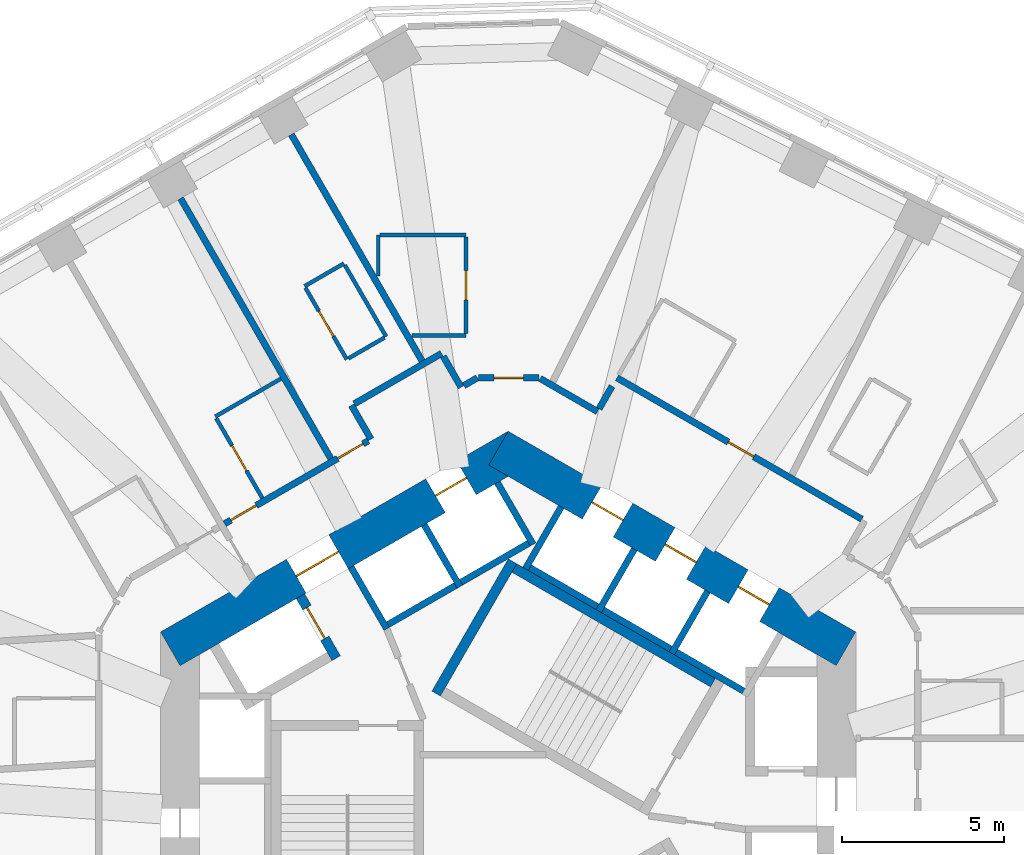
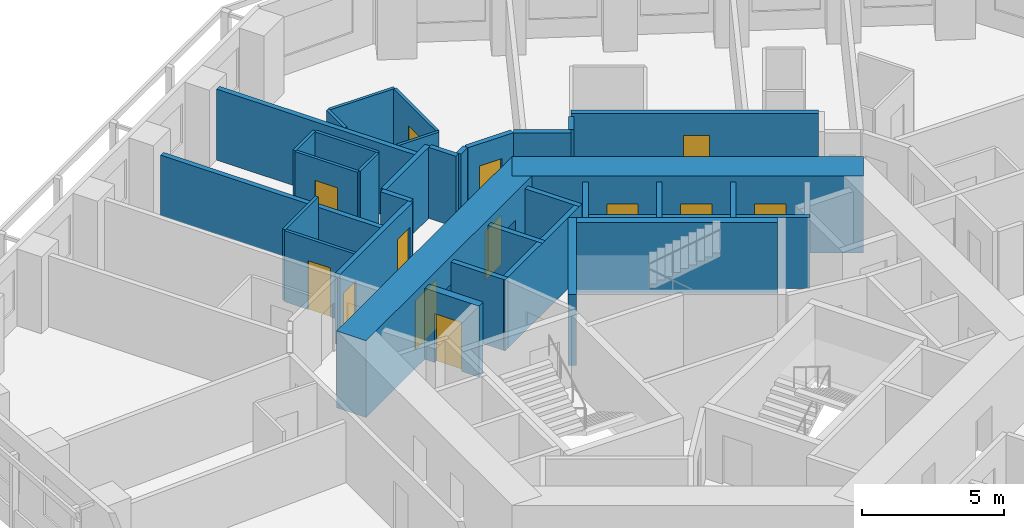
# One storey, part 8 of 12: 34 walls, 13 doors, 13 openings.
"""IFC4 building model written with IfcOpenShell, lengths in metres."""

from ifc_helpers import new_model, si_unit, direction, frame, frame_2d, origin, place, context, subcontext, project, spatial, rectangle, extrude, material, layer, layer_set, type_object, element, fill, save


model = new_model("IFC4")

# Units and contexts
model_context = context("Model", 3, precision=1e-05, world=origin(), true_north=direction((0.0, 1.0)))
body_context = subcontext(model_context, "Body", "Model", "MODEL_VIEW")
ifc_project = project(units=[si_unit("LENGTHUNIT", "METRE"), si_unit("AREAUNIT", "SQUARE_METRE"), si_unit("VOLUMEUNIT", "CUBIC_METRE"), si_unit("PLANEANGLEUNIT", "RADIAN"), si_unit("MASSUNIT", "GRAM", prefix="KILO")], contexts=[model_context])

# Site, building, storey
site_placement = place(None, origin())
site = spatial("IfcSite", under=ifc_project, at=site_placement, CompositionType="ELEMENT")
building_placement = place(site_placement, origin())
building = spatial("IfcBuilding", under=site, at=building_placement, Name="Vanh Sen Convention Tower", CompositionType="ELEMENT")
storey_placement = place(building_placement, frame((0.0, 0.0, 83.60009765625)))
storey = spatial("IfcBuildingStorey", under=building, at=storey_placement, Name="L18", CompositionType="ELEMENT", Elevation=83.60009765625)

# Wall
ifc_material_1 = material(Name="Moisture-resistant gypsum board on steel studs", Category="steel")
ifc_layer_1 = layer(ifc_material_1, 0.1201171875)
ifc_layer_set_1 = layer_set([ifc_layer_1], Name="Moisture-resistant gypsum board on steel studs")
wall_type_1 = type_object("IfcWallType", Name="Bathroom partition 120", PredefinedType="PARTITIONING", material=ifc_layer_set_1)
wall_1_placement = place(storey_placement, frame((-9.016357421875, 12.8076171875, 0.0), z_axis=(0.0, 0.0, 1.0), x_axis=(0.86600796803, 0.500030198396, 0.0)))
element("IfcWall", 1, at=wall_1_placement, inside=storey, type_object=wall_type_1, Name="Bathroom partition 120", PredefinedType="PARTITIONING", context=body_context, shape_type="SweptSolid", body=[
    extrude(rectangle(XDim=2.334716796875, YDim=0.1201171875, at=frame_2d((1.16748046875, 0.0))), origin(), (0.0, 0.0, 1.0), 3.0498046875),
])

# Wall, opening, door
wall_2_placement = place(storey_placement, frame((-7.56640625, 10.296142578125, 0.0), z_axis=(0.0, 0.0, 1.0), x_axis=(-0.499985389037, 0.866033839264, 0.0)))
wall_2 = element("IfcWall", 2, at=wall_2_placement, inside=storey, type_object=wall_type_1, Name="Bathroom partition 120", PredefinedType="PARTITIONING", context=body_context, shape_type="SweptSolid", body=[
    extrude(rectangle(XDim=2.83984375, YDim=0.1201171875, at=frame_2d((1.419921875, 0.0))), origin(), (0.0, 0.0, 1.0), 3.0498046875),
])
opening_1_placement = place(wall_2_placement, frame((0.969970703125, 0.0, 0.0)))
opening_1 = element("IfcOpeningElement", 3, at=opening_1_placement, cuts=wall_2, Name="Opening D16117", PredefinedType="OPENING", context=body_context, shape_type="SweptSolid", body=[
    extrude(rectangle(XDim=0.89990234375, YDim=2.10009765625, at=frame_2d((0.449951171875, 1.050048828125))), frame((0.0, 0.070068359375, 0.0), z_axis=(0.0, -1.0, 0.0), x_axis=(1.0, 0.0, 0.0)), (0.0, 0.0, 1.0), 0.14013671875),
])
ifc_material_2 = material(Name="Laminate door in steel frame", Category="steel")
door_type_1 = type_object("IfcDoorType", Name="En-suite door 900", OperationType="SINGLE_SWING_LEFT", PredefinedType="DOOR", material=ifc_material_2)
door_1_placement = place(opening_1_placement, origin())
door_1 = element("IfcDoor", 4, at=door_1_placement, inside=storey, type_object=door_type_1, Name="En-suite door D16117", OperationType="SINGLE_SWING_LEFT", OverallHeight=2.10009765625, OverallWidth=0.89990234375, PredefinedType="DOOR", context=body_context, shape_type="SweptSolid", body=[
    extrude(rectangle(XDim=0.89990234375, YDim=2.10009765625, at=frame_2d((0.449951171875, 1.050048828125))), frame((0.0, 0.02490234375, 0.0), z_axis=(0.0, -1.0, 0.0), x_axis=(1.0, 0.0, 0.0)), (0.0, 0.0, 1.0), 0.050048828125),
])
fill(opening_1, door_1)

# Walls
wall_3_placement = place(storey_placement, frame((-6.268310546875, 16.8203125, 0.0), z_axis=(0.0, 0.0, 1.0), x_axis=(0.866002662425, 0.500039387122, 0.0)))
element("IfcWall", 5, at=wall_3_placement, inside=storey, type_object=wall_type_1, Name="Bathroom partition 120", PredefinedType="PARTITIONING", context=body_context, shape_type="SweptSolid", body=[
    extrude(rectangle(XDim=1.400390625, YDim=0.1201171875, at=frame_2d((0.7001953125, 0.0))), origin(), (0.0, 0.0, 1.0), 3.0498046875),
])
wall_4_placement = place(storey_placement, frame((-5.025634765625, 17.468505859375, 0.0), z_axis=(0.0, 0.0, 1.0), x_axis=(0.500005339912, -0.866022320763, 0.0)))
element("IfcWall", 6, at=wall_4_placement, inside=storey, type_object=wall_type_1, Name="Bathroom partition 120", PredefinedType="PARTITIONING", context=body_context, shape_type="SweptSolid", body=[
    extrude(rectangle(XDim=2.5400390625, YDim=0.1201171875, at=frame_2d((1.27001953125, 0.0))), origin(), (0.0, 0.0, 1.0), 3.0498046875),
])

# Wall, opening, door
wall_5_placement = place(storey_placement, frame((-4.96826171875, 14.56884765625, 0.0), z_axis=(0.0, 0.0, 1.0), x_axis=(-0.500046963369, 0.865998287773, 0.0)))
wall_5 = element("IfcWall", 7, at=wall_5_placement, inside=storey, type_object=wall_type_1, Name="Bathroom partition 120", PredefinedType="PARTITIONING", context=body_context, shape_type="SweptSolid", body=[
    extrude(rectangle(XDim=2.539794921875, YDim=0.1201171875, at=frame_2d((1.27001953125, 0.0))), origin(), (0.0, 0.0, 1.0), 3.0498046875),
])
opening_2_placement = place(wall_5_placement, frame((0.820068359375, 0.0, 0.0)))
opening_2 = element("IfcOpeningElement", 8, at=opening_2_placement, cuts=wall_5, Name="Opening D16115", PredefinedType="OPENING", context=body_context, shape_type="SweptSolid", body=[
    extrude(rectangle(XDim=0.89990234375, YDim=2.10009765625, at=frame_2d((0.449951171875, 1.050048828125))), frame((0.0, 0.070068359375, 0.0), z_axis=(0.0, -1.0, 0.0), x_axis=(1.0, 0.0, 0.0)), (0.0, 0.0, 1.0), 0.14013671875),
])
door_2_placement = place(opening_2_placement, origin())
door_2 = element("IfcDoor", 9, at=door_2_placement, inside=storey, type_object=door_type_1, Name="En-suite door D16115", OperationType="SINGLE_SWING_LEFT", OverallHeight=2.10009765625, OverallWidth=0.89990234375, PredefinedType="DOOR", context=body_context, shape_type="SweptSolid", body=[
    extrude(rectangle(XDim=0.89990234375, YDim=2.10009765625, at=frame_2d((0.449951171875, 1.050048828125))), frame((0.0, 0.02490234375, 0.0), z_axis=(0.0, -1.0, 0.0), x_axis=(1.0, 0.0, 0.0)), (0.0, 0.0, 1.0), 0.050048828125),
])
fill(opening_2, door_2)

# Walls
wall_6_placement = place(storey_placement, frame((-4.0, 17.137451171875, 0.0), z_axis=(0.0, 0.0, 1.0), x_axis=(0.0, 1.0, 0.0)))
element("IfcWall", 10, at=wall_6_placement, inside=storey, type_object=wall_type_1, Name="Bathroom partition 120", PredefinedType="PARTITIONING", context=body_context, shape_type="SweptSolid", body=[
    extrude(rectangle(XDim=1.26318359375, YDim=0.1201171875, at=frame_2d((0.631591796875, 0.0))), origin(), (0.0, 0.0, 1.0), 3.0498046875),
])
wall_7_placement = place(storey_placement, frame((-3.93994140625, 18.400634765625, 0.0), z_axis=(0.0, 0.0, 1.0), x_axis=(1.0, 0.0, 0.0)))
element("IfcWall", 11, at=wall_7_placement, inside=storey, type_object=wall_type_1, Name="Bathroom partition 120", PredefinedType="PARTITIONING", context=body_context, shape_type="SweptSolid", body=[
    extrude(rectangle(XDim=2.639892578125, YDim=0.1201171875, at=frame_2d((1.31982421875, 0.0))), origin(), (0.0, 0.0, 1.0), 3.0498046875),
])
wall_8_placement = place(storey_placement, frame((-3.8076171875, 15.23876953125, 0.0), z_axis=(0.0, 0.0, 1.0), x_axis=(-0.866087136806, -0.499893060024, 0.0)))
element("IfcWall", 12, at=wall_8_placement, inside=storey, type_object=wall_type_1, Name="Bathroom partition 120", PredefinedType="PARTITIONING", context=body_context, shape_type="SweptSolid", body=[
    extrude(rectangle(XDim=1.280029296875, YDim=0.1201171875, at=frame_2d((0.64013671875, 0.0))), origin(), (0.0, 0.0, 1.0), 3.0498046875),
])
wall_9_placement = place(storey_placement, frame((-1.300048828125, 15.30078125, 0.0), z_axis=(0.0, 0.0, 1.0), x_axis=(-1.0, 0.0, 0.0)))
element("IfcWall", 13, at=wall_9_placement, inside=storey, type_object=wall_type_1, Name="Bathroom partition 120", PredefinedType="PARTITIONING", context=body_context, shape_type="SweptSolid", body=[
    extrude(rectangle(XDim=1.6611328125, YDim=0.1201171875, at=frame_2d((0.83056640625, 0.0))), origin(), (0.0, 0.0, 1.0), 3.0498046875),
])

# Wall, opening, door
wall_10_placement = place(storey_placement, frame((-1.300048828125, 18.3408203125, 0.0), z_axis=(0.0, 0.0, 1.0), x_axis=(0.0, -1.0, 0.0)))
wall_10 = element("IfcWall", 14, at=wall_10_placement, inside=storey, type_object=wall_type_1, Name="Bathroom partition 120", PredefinedType="PARTITIONING", context=body_context, shape_type="SweptSolid", body=[
    extrude(rectangle(XDim=2.980224609375, YDim=0.1201171875, at=frame_2d((1.490234375, 0.0))), origin(), (0.0, 0.0, 1.0), 3.0498046875),
])
opening_3_placement = place(wall_10_placement, frame((1.0400390625, 0.0, 0.0)))
opening_3 = element("IfcOpeningElement", 15, at=opening_3_placement, cuts=wall_10, Name="Opening D16113", PredefinedType="OPENING", context=body_context, shape_type="SweptSolid", body=[
    extrude(rectangle(XDim=0.89990234375, YDim=2.10009765625, at=frame_2d((0.449951171875, 1.050048828125))), frame((0.0, 0.070068359375, 0.0), z_axis=(0.0, -1.0, 0.0), x_axis=(1.0, 0.0, 0.0)), (0.0, 0.0, 1.0), 0.14013671875),
])
door_3_placement = place(opening_3_placement, origin())
door_3 = element("IfcDoor", 16, at=door_3_placement, inside=storey, type_object=door_type_1, Name="En-suite door D16113", OperationType="SINGLE_SWING_LEFT", OverallHeight=2.10009765625, OverallWidth=0.89990234375, PredefinedType="DOOR", context=body_context, shape_type="SweptSolid", body=[
    extrude(rectangle(XDim=0.89990234375, YDim=2.10009765625, at=frame_2d((0.449951171875, 1.050048828125))), frame((0.0, 0.02490234375, 0.0), z_axis=(0.0, -1.0, 0.0), x_axis=(1.0, 0.0, 0.0)), (0.0, 0.0, 1.0), 0.050048828125),
])
fill(opening_3, door_3)

# Wall, openings, doors
ifc_material_3 = material(Name="Concrete C80/95", Category="concrete")
ifc_layer_2 = layer(ifc_material_3, 1.199951171875)
ifc_layer_set_2 = layer_set([ifc_layer_2], Name="Concrete C80/95")
wall_type_2 = type_object("IfcWallType", Name="Core outer wall 1200 C80/95", PredefinedType="SHEAR", material=ifc_layer_set_2)
wall_11_placement = place(storey_placement, frame((10.39990234375, 5.657958984375, 0.0), z_axis=(0.0, 0.0, 1.0), x_axis=(-0.866021384402, 0.500006961711, 0.0)))
wall_11 = element("IfcWall", 17, at=wall_11_placement, inside=storey, type_object=wall_type_2, Name="Core wall face NE L18", PredefinedType="SHEAR", context=body_context, shape_type="SweptSolid", body=[
    extrude(rectangle(XDim=12.355224609375, YDim=1.199951171875, at=frame_2d((6.177734375, 0.0))), origin(), (0.0, 0.0, 1.0), 3.2998046875),
])
opening_4_placement = place(wall_11_placement, frame((2.727783203125, 0.0, 0.0)))
opening_4 = element("IfcOpeningElement", 18, at=opening_4_placement, cuts=wall_11, Name="Opening LD-LR3", PredefinedType="OPENING", context=body_context, shape_type="SweptSolid", body=[
    extrude(rectangle(XDim=1.10009765625, YDim=2.10009765625, at=frame_2d((0.550048828125, 1.050048828125))), frame((0.0, 0.60986328125, 0.0), z_axis=(0.0, -1.0, 0.0), x_axis=(1.0, 0.0, 0.0)), (0.0, 0.0, 1.0), 1.219970703125),
])
opening_5_placement = place(wall_11_placement, frame((5.32763671875, 0.0, 0.0)))
opening_5 = element("IfcOpeningElement", 19, at=opening_5_placement, cuts=wall_11, Name="Opening LD-LR4", PredefinedType="OPENING", context=body_context, shape_type="SweptSolid", body=[
    extrude(rectangle(XDim=1.10009765625, YDim=2.10009765625, at=frame_2d((0.550048828125, 1.050048828125))), frame((0.0, 0.60986328125, 0.0), z_axis=(0.0, -1.0, 0.0), x_axis=(1.0, 0.0, 0.0)), (0.0, 0.0, 1.0), 1.219970703125),
])
opening_6_placement = place(wall_11_placement, frame((7.927734375, 0.0, 0.0)))
opening_6 = element("IfcOpeningElement", 20, at=opening_6_placement, cuts=wall_11, Name="Opening LD-LR5", PredefinedType="OPENING", context=body_context, shape_type="SweptSolid", body=[
    extrude(rectangle(XDim=1.10009765625, YDim=2.10009765625, at=frame_2d((0.550048828125, 1.050048828125))), frame((0.0, 0.60986328125, 0.0), z_axis=(0.0, -1.0, 0.0), x_axis=(1.0, 0.0, 0.0)), (0.0, 0.0, 1.0), 1.219970703125),
])
ifc_material_4 = material(Name="Stainless steel", Category="steel")
door_type_2 = type_object("IfcDoorType", Name="Lift landing door 1100", OperationType="DOUBLE_DOOR_SLIDING", PredefinedType="DOOR", material=ifc_material_4)
door_4_placement = place(opening_4_placement, origin())
door_4 = element("IfcDoor", 21, at=door_4_placement, inside=storey, type_object=door_type_2, Name="Lift LR3 landing door LD-LR3", OperationType="DOUBLE_DOOR_SLIDING", OverallHeight=2.10009765625, OverallWidth=1.10009765625, PredefinedType="DOOR", context=body_context, shape_type="SweptSolid", body=[
    extrude(rectangle(XDim=1.10009765625, YDim=2.10009765625, at=frame_2d((0.550048828125, 1.050048828125))), frame((0.0, 0.02490234375, 0.0), z_axis=(0.0, -1.0, 0.0), x_axis=(1.0, 0.0, 0.0)), (0.0, 0.0, 1.0), 0.050048828125),
])
fill(opening_4, door_4)
door_5_placement = place(opening_5_placement, origin())
door_5 = element("IfcDoor", 22, at=door_5_placement, inside=storey, type_object=door_type_2, Name="Lift LR4 landing door LD-LR4", OperationType="DOUBLE_DOOR_SLIDING", OverallHeight=2.10009765625, OverallWidth=1.10009765625, PredefinedType="DOOR", context=body_context, shape_type="SweptSolid", body=[
    extrude(rectangle(XDim=1.10009765625, YDim=2.10009765625, at=frame_2d((0.550048828125, 1.050048828125))), frame((0.0, 0.02490234375, 0.0), z_axis=(0.0, -1.0, 0.0), x_axis=(1.0, 0.0, 0.0)), (0.0, 0.0, 1.0), 0.050048828125),
])
fill(opening_5, door_5)
door_6_placement = place(opening_6_placement, origin())
door_6 = element("IfcDoor", 23, at=door_6_placement, inside=storey, type_object=door_type_2, Name="Lift LR5 landing door LD-LR5", OperationType="DOUBLE_DOOR_SLIDING", OverallHeight=2.10009765625, OverallWidth=1.10009765625, PredefinedType="DOOR", context=body_context, shape_type="SweptSolid", body=[
    extrude(rectangle(XDim=1.10009765625, YDim=2.10009765625, at=frame_2d((0.550048828125, 1.050048828125))), frame((0.0, 0.02490234375, 0.0), z_axis=(0.0, -1.0, 0.0), x_axis=(1.0, 0.0, 0.0)), (0.0, 0.0, 1.0), 0.050048828125),
])
fill(opening_6, door_6)

wall_12_placement = place(storey_placement, frame((0.300048828125, 11.835693359375, 0.0), z_axis=(0.0, 0.0, 1.0), x_axis=(-0.866021384402, -0.500006961711, 0.0)))
wall_12 = element("IfcWall", 24, at=wall_12_placement, inside=storey, type_object=wall_type_2, Name="Core wall face NW L18", PredefinedType="SHEAR", context=body_context, shape_type="SweptSolid", body=[
    extrude(rectangle(XDim=12.355224609375, YDim=1.199951171875, at=frame_2d((6.177734375, 0.0))), origin(), (0.0, 0.0, 1.0), 3.2998046875),
])
opening_7_placement = place(wall_12_placement, frame((6.377685546875, 0.0, 0.0)))
opening_7 = element("IfcOpeningElement", 25, at=opening_7_placement, cuts=wall_12, Name="Opening D16002", PredefinedType="OPENING", context=body_context, shape_type="SweptSolid", body=[
    extrude(rectangle(XDim=1.5, YDim=2.10009765625, at=frame_2d((0.75, 1.050048828125))), frame((0.0, 0.60986328125, 0.0), z_axis=(0.0, -1.0, 0.0), x_axis=(1.0, 0.0, 0.0)), (0.0, 0.0, 1.0), 1.219970703125),
])
opening_8_placement = place(wall_12_placement, frame((1.82763671875, 0.0, 0.0)))
opening_8 = element("IfcOpeningElement", 26, at=opening_8_placement, cuts=wall_12, Name="Opening LD-LR6", PredefinedType="OPENING", context=body_context, shape_type="SweptSolid", body=[
    extrude(rectangle(XDim=1.10009765625, YDim=2.10009765625, at=frame_2d((0.550048828125, 1.050048828125))), frame((0.0, 0.60986328125, 0.0), z_axis=(0.0, -1.0, 0.0), x_axis=(1.0, 0.0, 0.0)), (0.0, 0.0, 1.0), 1.219970703125),
])
door_7_placement = place(opening_8_placement, origin())
door_7 = element("IfcDoor", 27, at=door_7_placement, inside=storey, type_object=door_type_2, Name="Lift LR6 landing door LD-LR6", OperationType="DOUBLE_DOOR_SLIDING", OverallHeight=2.10009765625, OverallWidth=1.10009765625, PredefinedType="DOOR", context=body_context, shape_type="SweptSolid", body=[
    extrude(rectangle(XDim=1.10009765625, YDim=2.10009765625, at=frame_2d((0.550048828125, 1.050048828125))), frame((0.0, 0.02490234375, 0.0), z_axis=(0.0, -1.0, 0.0), x_axis=(1.0, 0.0, 0.0)), (0.0, 0.0, 1.0), 0.050048828125),
])
fill(opening_8, door_7)
ifc_material_5 = material(Name="Steel S355", Category="steel")
door_type_3 = type_object("IfcDoorType", Name="Stair lobby door 1500", OperationType="DOUBLE_DOOR_SINGLE_SWING", PredefinedType="DOOR", material=ifc_material_5)
door_8_placement = place(opening_7_placement, origin())
door_8 = element("IfcDoor", 28, at=door_8_placement, inside=storey, type_object=door_type_3, Name="Stair lobby door D16002", OperationType="DOUBLE_DOOR_SINGLE_SWING", OverallHeight=2.10009765625, OverallWidth=1.5, PredefinedType="DOOR", context=body_context, shape_type="SweptSolid", body=[
    extrude(rectangle(XDim=1.5, YDim=2.10009765625, at=frame_2d((0.75, 1.050048828125))), frame((0.0, 0.02490234375, 0.0), z_axis=(0.0, -1.0, 0.0), x_axis=(1.0, 0.0, 0.0)), (0.0, 0.0, 1.0), 0.050048828125),
])
fill(opening_7, door_8)

# Wall
ifc_material_6 = material(Name="Gypsum board on steel studs with mineral wool", Category="steel")
ifc_layer_3 = layer(ifc_material_6, 0.199951171875)
ifc_layer_set_3 = layer_set([ifc_layer_3], Name="Gypsum board on steel studs with mineral wool")
wall_type_3 = type_object("IfcWallType", Name="Corridor partition wall 200", PredefinedType="PARTITIONING", material=ifc_layer_set_3)
wall_13_placement = place(storey_placement, frame((-4.822998046875, 13.151611328125, 0.0), z_axis=(0.0, 0.0, 1.0), x_axis=(0.499986357472, -0.866033280158, 0.0)))
element("IfcWall", 29, at=wall_13_placement, inside=storey, type_object=wall_type_3, Name="Corridor partition wall 200", PredefinedType="PARTITIONING", context=body_context, shape_type="SweptSolid", body=[
    extrude(rectangle(XDim=1.201171875, YDim=0.199951171875, at=frame_2d((0.6005859375, 0.0))), origin(), (0.0, 0.0, 1.0), 3.0498046875),
])

# Wall, openings, doors
wall_14_placement = place(storey_placement, frame((-4.30908203125, 12.061279296875, 0.0), z_axis=(0.0, 0.0, 1.0), x_axis=(-0.866020679205, -0.500008183122, 0.0)))
wall_14 = element("IfcWall", 30, at=wall_14_placement, inside=storey, type_object=wall_type_3, Name="Corridor partition wall 200", PredefinedType="PARTITIONING", context=body_context, shape_type="SweptSolid", body=[
    extrude(rectangle(XDim=5.103515625, YDim=0.199951171875, at=frame_2d((2.5517578125, 0.0))), origin(), (0.0, 0.0, 1.0), 3.0498046875),
])
opening_9_placement = place(wall_14_placement, frame((0.1845703125, 0.0, 0.0)))
opening_9 = element("IfcOpeningElement", 31, at=opening_9_placement, cuts=wall_14, Name="Opening D16114", PredefinedType="OPENING", context=body_context, shape_type="SweptSolid", body=[
    extrude(rectangle(XDim=0.89990234375, YDim=2.10009765625, at=frame_2d((0.449951171875, 1.050048828125))), frame((0.0, 0.10986328125, 0.0), z_axis=(0.0, -1.0, 0.0), x_axis=(1.0, 0.0, 0.0)), (0.0, 0.0, 1.0), 0.219970703125),
])
opening_10_placement = place(wall_14_placement, frame((3.978515625, 0.0, 0.0)))
opening_10 = element("IfcOpeningElement", 32, at=opening_10_placement, cuts=wall_14, Name="Opening D16116", PredefinedType="OPENING", context=body_context, shape_type="SweptSolid", body=[
    extrude(rectangle(XDim=0.89990234375, YDim=2.10009765625, at=frame_2d((0.449951171875, 1.050048828125))), frame((0.0, 0.10986328125, 0.0), z_axis=(0.0, -1.0, 0.0), x_axis=(1.0, 0.0, 0.0)), (0.0, 0.0, 1.0), 0.219970703125),
])
ifc_material_7 = material(Name="Timber fire door in steel frame", Category="steel")
door_type_4 = type_object("IfcDoorType", Name="Guest room door 900", OperationType="SINGLE_SWING_LEFT", PredefinedType="DOOR", material=ifc_material_7)
door_9_placement = place(opening_9_placement, origin())
door_9 = element("IfcDoor", 33, at=door_9_placement, inside=storey, type_object=door_type_4, Name="Hotel guest room door D16114", OperationType="SINGLE_SWING_LEFT", OverallHeight=2.10009765625, OverallWidth=0.89990234375, PredefinedType="DOOR", context=body_context, shape_type="SweptSolid", body=[
    extrude(rectangle(XDim=0.89990234375, YDim=2.10009765625, at=frame_2d((0.449951171875, 1.050048828125))), frame((0.0, 0.02490234375, 0.0), z_axis=(0.0, -1.0, 0.0), x_axis=(1.0, 0.0, 0.0)), (0.0, 0.0, 1.0), 0.050048828125),
])
fill(opening_9, door_9)
door_10_placement = place(opening_10_placement, origin())
door_10 = element("IfcDoor", 34, at=door_10_placement, inside=storey, type_object=door_type_4, Name="Hotel guest room door D16116", OperationType="SINGLE_SWING_LEFT", OverallHeight=2.10009765625, OverallWidth=0.89990234375, PredefinedType="DOOR", context=body_context, shape_type="SweptSolid", body=[
    extrude(rectangle(XDim=0.89990234375, YDim=2.10009765625, at=frame_2d((0.449951171875, 1.050048828125))), frame((0.0, 0.02490234375, 0.0), z_axis=(0.0, -1.0, 0.0), x_axis=(1.0, 0.0, 0.0)), (0.0, 0.0, 1.0), 0.050048828125),
])
fill(opening_10, door_10)

# Walls
wall_15_placement = place(storey_placement, frame((-2.0498046875, 14.75244140625, 0.0), z_axis=(0.0, 0.0, 1.0), x_axis=(-0.866030936828, -0.499990416364, 0.0)))
element("IfcWall", 35, at=wall_15_placement, inside=storey, type_object=wall_type_3, Name="Corridor partition wall 200", PredefinedType="PARTITIONING", context=body_context, shape_type="SweptSolid", body=[
    extrude(rectangle(XDim=3.10205078125, YDim=0.199951171875, at=frame_2d((1.551025390625, 0.0))), origin(), (0.0, 0.0, 1.0), 3.0498046875),
])
wall_16_placement = place(storey_placement, frame((-1.449462890625, 13.71240234375, 0.0), z_axis=(0.0, 0.0, 1.0), x_axis=(-0.499978356969, 0.866037899034, 0.0)))
element("IfcWall", 36, at=wall_16_placement, inside=storey, type_object=wall_type_3, Name="Corridor partition wall 200", PredefinedType="PARTITIONING", context=body_context, shape_type="SweptSolid", body=[
    extrude(rectangle(XDim=1.10107421875, YDim=0.199951171875, at=frame_2d((0.550537109375, 0.0))), origin(), (0.0, 0.0, 1.0), 3.0498046875),
])
wall_17_placement = place(storey_placement, frame((-0.949951171875, 14.000732421875, 0.0), z_axis=(0.0, 0.0, 1.0), x_axis=(-0.86609177584, -0.499885022602, 0.0)))
element("IfcWall", 37, at=wall_17_placement, inside=storey, type_object=wall_type_3, Name="Corridor partition wall 200", PredefinedType="PARTITIONING", context=body_context, shape_type="SweptSolid", body=[
    extrude(rectangle(XDim=0.4765625, YDim=0.199951171875, at=frame_2d((0.23828125, 0.0))), origin(), (0.0, 0.0, 1.0), 3.0498046875),
])

# Wall, opening, door
wall_18_placement = place(storey_placement, frame((0.949951171875, 14.000732421875, 0.0), z_axis=(0.0, 0.0, 1.0), x_axis=(-1.0, 0.0, 0.0)))
wall_18 = element("IfcWall", 38, at=wall_18_placement, inside=storey, type_object=wall_type_3, Name="Corridor partition wall 200", PredefinedType="PARTITIONING", context=body_context, shape_type="SweptSolid", body=[
    extrude(rectangle(XDim=1.85986328125, YDim=0.199951171875, at=frame_2d((0.929931640625, 0.0))), origin(), (0.0, 0.0, 1.0), 3.0498046875),
])
opening_11_placement = place(wall_18_placement, frame((0.47998046875, 0.0, 0.0)))
opening_11 = element("IfcOpeningElement", 39, at=opening_11_placement, cuts=wall_18, Name="Opening D16112", PredefinedType="OPENING", context=body_context, shape_type="SweptSolid", body=[
    extrude(rectangle(XDim=0.89990234375, YDim=2.10009765625, at=frame_2d((0.449951171875, 1.050048828125))), frame((0.0, 0.10986328125, 0.0), z_axis=(0.0, -1.0, 0.0), x_axis=(1.0, 0.0, 0.0)), (0.0, 0.0, 1.0), 0.219970703125),
])
door_11_placement = place(opening_11_placement, origin())
door_11 = element("IfcDoor", 40, at=door_11_placement, inside=storey, type_object=door_type_4, Name="Hotel guest room door D16112", OperationType="SINGLE_SWING_LEFT", OverallHeight=2.10009765625, OverallWidth=0.89990234375, PredefinedType="DOOR", context=body_context, shape_type="SweptSolid", body=[
    extrude(rectangle(XDim=0.89990234375, YDim=2.10009765625, at=frame_2d((0.449951171875, 1.050048828125))), frame((0.0, 0.02490234375, 0.0), z_axis=(0.0, -1.0, 0.0), x_axis=(1.0, 0.0, 0.0)), (0.0, 0.0, 1.0), 0.050048828125),
])
fill(opening_11, door_11)

# Walls
wall_19_placement = place(storey_placement, frame((2.748291015625, 12.96240234375, 0.0), z_axis=(0.0, 0.0, 1.0), x_axis=(-0.866013897511, 0.50001992892, 0.0)))
element("IfcWall", 41, at=wall_19_placement, inside=storey, type_object=wall_type_3, Name="Corridor partition wall 200", PredefinedType="PARTITIONING", context=body_context, shape_type="SweptSolid", body=[
    extrude(rectangle(XDim=2.03662109375, YDim=0.199951171875, at=frame_2d((1.018310546875, 0.0))), origin(), (0.0, 0.0, 1.0), 3.0498046875),
])
wall_20_placement = place(storey_placement, frame((3.198974609375, 13.74267578125, 0.0), z_axis=(0.0, 0.0, 1.0), x_axis=(-0.500170954823, -0.865926680471, 0.0)))
element("IfcWall", 42, at=wall_20_placement, inside=storey, type_object=wall_type_3, Name="Corridor partition wall 200", PredefinedType="PARTITIONING", context=body_context, shape_type="SweptSolid", body=[
    extrude(rectangle(XDim=0.801025390625, YDim=0.199951171875, at=frame_2d((0.400390625, 0.0))), origin(), (0.0, 0.0, 1.0), 3.0498046875),
])

# Wall, opening, door
wall_21_placement = place(storey_placement, frame((10.885009765625, 9.651611328125, 0.0), z_axis=(0.0, 0.0, 1.0), x_axis=(-0.866033277307, 0.499986362411, 0.0)))
wall_21 = element("IfcWall", 43, at=wall_21_placement, inside=storey, type_object=wall_type_3, Name="Corridor partition wall 200", PredefinedType="PARTITIONING", context=body_context, shape_type="SweptSolid", body=[
    extrude(rectangle(XDim=8.701904296875, YDim=0.199951171875, at=frame_2d((4.35107421875, 0.0))), origin(), (0.0, 0.0, 1.0), 3.0498046875),
])
opening_12_placement = place(wall_21_placement, frame((3.843505859375, 0.0, 0.0)))
opening_12 = element("IfcOpeningElement", 44, at=opening_12_placement, cuts=wall_21, Name="Opening D16110", PredefinedType="OPENING", context=body_context, shape_type="SweptSolid", body=[
    extrude(rectangle(XDim=0.89990234375, YDim=2.10009765625, at=frame_2d((0.449951171875, 1.050048828125))), frame((0.0, 0.10986328125, 0.0), z_axis=(0.0, -1.0, 0.0), x_axis=(1.0, 0.0, 0.0)), (0.0, 0.0, 1.0), 0.219970703125),
])
door_12_placement = place(opening_12_placement, origin())
door_12 = element("IfcDoor", 45, at=door_12_placement, inside=storey, type_object=door_type_4, Name="Hotel guest room door D16110", OperationType="SINGLE_SWING_LEFT", OverallHeight=2.10009765625, OverallWidth=0.89990234375, PredefinedType="DOOR", context=body_context, shape_type="SweptSolid", body=[
    extrude(rectangle(XDim=0.89990234375, YDim=2.10009765625, at=frame_2d((0.449951171875, 1.050048828125))), frame((0.0, 0.02490234375, 0.0), z_axis=(0.0, -1.0, 0.0), x_axis=(1.0, 0.0, 0.0)), (0.0, 0.0, 1.0), 0.050048828125),
])
fill(opening_12, door_12)

ifc_material_8 = material(Name="Concrete C60/75", Category="concrete")
ifc_layer_4 = layer(ifc_material_8, 0.300048828125)
ifc_layer_set_4 = layer_set([ifc_layer_4], Name="Concrete C60/75")
wall_type_4 = type_object("IfcWallType", Name="Fire-fighting lift shaft wall 300", PredefinedType="SHEAR", material=ifc_layer_set_4)
wall_22_placement = place(storey_placement, frame((-5.29541015625, 5.3720703125, 0.0), z_axis=(0.0, 0.0, 1.0), x_axis=(-0.500077893725, 0.86598042715, 0.0)))
wall_22 = element("IfcWall", 46, at=wall_22_placement, inside=storey, type_object=wall_type_4, Name="Fire-fighting lift shaft wall L18", PredefinedType="SHEAR", context=body_context, shape_type="SweptSolid", body=[
    extrude(rectangle(XDim=2.199951171875, YDim=0.300048828125, at=frame_2d((1.10009765625, 0.0))), origin(), (0.0, 0.0, 1.0), 3.0498046875),
])
opening_13_placement = place(wall_22_placement, frame((0.699951171875, 0.0, 0.0)))
opening_13 = element("IfcOpeningElement", 47, at=opening_13_placement, cuts=wall_22, Name="Opening LD-FF2", PredefinedType="OPENING", context=body_context, shape_type="SweptSolid", body=[
    extrude(rectangle(XDim=1.10009765625, YDim=2.10009765625, at=frame_2d((0.550048828125, 1.050048828125))), frame((0.0, 0.159912109375, 0.0), z_axis=(0.0, -1.0, 0.0), x_axis=(1.0, 0.0, 0.0)), (0.0, 0.0, 1.0), 0.320068359375),
])
door_type_5 = type_object("IfcDoorType", Name="Fire-fighting lift landing door 1100", OperationType="DOUBLE_DOOR_SLIDING", PredefinedType="DOOR", material=ifc_material_4)
door_13_placement = place(opening_13_placement, origin())
door_13 = element("IfcDoor", 48, at=door_13_placement, inside=storey, type_object=door_type_5, Name="Lift FF2 landing door LD-FF2", OperationType="DOUBLE_DOOR_SLIDING", OverallHeight=2.10009765625, OverallWidth=1.10009765625, PredefinedType="DOOR", context=body_context, shape_type="SweptSolid", body=[
    extrude(rectangle(XDim=1.10009765625, YDim=2.10009765625, at=frame_2d((0.550048828125, 1.050048828125))), frame((0.0, 0.02490234375, 0.0), z_axis=(0.0, -1.0, 0.0), x_axis=(1.0, 0.0, 0.0)), (0.0, 0.0, 1.0), 0.050048828125),
])
fill(opening_13, door_13)

# Walls
ifc_layer_5 = layer(ifc_material_6, 0.199951171875)
ifc_layer_set_5 = layer_set([ifc_layer_5], Name="Gypsum board on steel studs with mineral wool")
wall_type_5 = type_object("IfcWallType", Name="Hotel party wall 200", PredefinedType="PARTITIONING", material=ifc_layer_set_5)
wall_23_placement = place(storey_placement, frame((-10.0830078125, 19.5244140625, 0.0), z_axis=(0.0, 0.0, 1.0), x_axis=(0.499999662836, -0.866025598446, 0.0)))
element("IfcWall", 49, at=wall_23_placement, inside=storey, type_object=wall_type_5, Name="Hotel party wall 200", PredefinedType="PARTITIONING", context=body_context, shape_type="SweptSolid", body=[
    extrude(rectangle(XDim=9.25, YDim=0.199951171875, at=frame_2d((4.625, 0.0))), origin(), (0.0, 0.0, 1.0), 2.599853515625),
])
wall_24_placement = place(storey_placement, frame((-6.675537109375, 21.49169921875, 0.0), z_axis=(0.0, 0.0, 1.0), x_axis=(0.500011263043, -0.866018900966, 0.0)))
element("IfcWall", 50, at=wall_24_placement, inside=storey, type_object=wall_type_5, Name="Hotel party wall 200", PredefinedType="PARTITIONING", context=body_context, shape_type="SweptSolid", body=[
    extrude(rectangle(XDim=8.049072265625, YDim=0.199951171875, at=frame_2d((4.0244140625, 0.0))), origin(), (0.0, 0.0, 1.0), 3.0498046875),
])
ifc_material_9 = material(Name="Concrete C40/50", Category="concrete")
ifc_layer_6 = layer(ifc_material_9, 0.199951171875)
ifc_layer_set_6 = layer_set([ifc_layer_6], Name="Concrete C40/50")
wall_type_6 = type_object("IfcWallType", Name="Lift shaft wall 200", PredefinedType="PARTITIONING", material=ifc_layer_set_6)
wall_25_placement = place(storey_placement, frame((7.423828125, 4.258544921875, 0.0), z_axis=(0.0, 0.0, 1.0), x_axis=(-0.866026010844, 0.49999894854, 0.0)))
element("IfcWall", 51, at=wall_25_placement, inside=storey, type_object=wall_type_6, Name="Lift shaft wall L18", PredefinedType="PARTITIONING", context=body_context, shape_type="SweptSolid", body=[
    extrude(rectangle(XDim=8.0, YDim=0.199951171875, at=frame_2d((4.0, 0.0))), origin(), (0.0, 0.0, 1.0), 3.0498046875),
])
for number, where, z_axis, x_axis, name in (
    (52, (5.03564453125, 5.52197265625, 0.0), (0.0, 0.0, 1.0), (0.499946605688, 0.86605622881, 0.0), "Lift shaft wall L18"),
    (53, (2.783935546875, 6.822021484375, 0.0), (0.0, 0.0, 1.0), (0.50002983664, 0.866008176907, 0.0), "Lift shaft wall L18"),
    (54, (0.5322265625, 8.1220703125, 0.0), (0.0, 0.0, 1.0), (0.500077893725, 0.86598042715, 0.0), "Lift shaft wall L18"),
):
    element("IfcWall", number, at=place(storey_placement, frame(where, z_axis=z_axis, x_axis=x_axis)), inside=storey, type_object=wall_type_6, Name=name, PredefinedType="PARTITIONING", context=body_context, shape_type="SweptSolid", body=[
        extrude(rectangle(XDim=2.199951171875, YDim=0.199951171875, at=frame_2d((1.10009765625, 0.0))), origin(), (0.0, 0.0, 1.0), 3.0498046875),
    ])
wall_26_placement = place(storey_placement, frame((0.80322265625, 9.008544921875, 0.0), z_axis=(0.0, 0.0, 1.0), x_axis=(-0.866028230842, -0.499995103361, 0.0)))
element("IfcWall", 55, at=wall_26_placement, inside=storey, type_object=wall_type_6, Name="Lift shaft wall L18", PredefinedType="PARTITIONING", context=body_context, shape_type="SweptSolid", body=[
    extrude(rectangle(XDim=5.39990234375, YDim=0.199951171875, at=frame_2d((2.699951171875, 0.0))), origin(), (0.0, 0.0, 1.0), 3.0498046875),
])
wall_27_placement = place(storey_placement, frame((0.7666015625, 8.8720703125, 0.0), z_axis=(0.0, 0.0, 1.0), x_axis=(-0.499994660107, 0.866028486751, 0.0)))
element("IfcWall", 56, at=wall_27_placement, inside=storey, type_object=wall_type_6, Name="Lift shaft wall L18", PredefinedType="PARTITIONING", context=body_context, shape_type="SweptSolid", body=[
    extrude(rectangle(XDim=2.19970703125, YDim=0.199951171875, at=frame_2d((1.099853515625, 0.0))), origin(), (0.0, 0.0, 1.0), 3.0498046875),
])
for number, where, z_axis, x_axis, name in (
    (57, (-1.48486328125, 7.572021484375, 0.0), (0.0, 0.0, 1.0), (-0.50002983664, 0.866008176907, 0.0), "Lift shaft wall L18"),
    (58, (-3.736572265625, 6.27197265625, 0.0), (0.0, 0.0, 1.0), (-0.50002983664, 0.866008176907, 0.0), "Lift shaft wall L18"),
):
    element("IfcWall", number, at=place(storey_placement, frame(where, z_axis=z_axis, x_axis=x_axis)), inside=storey, type_object=wall_type_6, Name=name, PredefinedType="PARTITIONING", context=body_context, shape_type="SweptSolid", body=[
        extrude(rectangle(XDim=2.199951171875, YDim=0.199951171875, at=frame_2d((1.10009765625, 0.0))), origin(), (0.0, 0.0, 1.0), 3.0498046875),
    ])
ifc_layer_7 = layer(ifc_material_8, 0.300048828125)
ifc_layer_set_7 = layer_set([ifc_layer_7], Name="Concrete C60/75")
wall_type_7 = type_object("IfcWallType", Name="Stair wall 300", PredefinedType="SHEAR", material=ifc_layer_set_7)
wall_28_placement = place(storey_placement, frame((-2.216064453125, 4.28173828125, 0.0), z_axis=(0.0, 0.0, 1.0), x_axis=(0.499977259774, 0.866038532462, 0.0)))
element("IfcWall", 59, at=wall_28_placement, inside=storey, type_object=wall_type_7, Name="Stair wall L18", PredefinedType="SHEAR", context=body_context, shape_type="SweptSolid", body=[
    extrude(rectangle(XDim=4.699951171875, YDim=0.300048828125, at=frame_2d((2.35009765625, 0.0))), origin(), (0.0, 0.0, 1.0), 3.0498046875),
])
wall_29_placement = place(storey_placement, frame((6.302978515625, 4.6171875, 0.0), z_axis=(0.0, 0.0, 1.0), x_axis=(-0.866027801685, 0.499995846692, 0.0)))
element("IfcWall", 60, at=wall_29_placement, inside=storey, type_object=wall_type_7, Name="Stair wall L18", PredefinedType="SHEAR", context=body_context, shape_type="SweptSolid", body=[
    extrude(rectangle(XDim=7.06005859375, YDim=0.300048828125, at=frame_2d((3.530029296875, 0.0))), origin(), (0.0, 0.0, 1.0), 3.0498046875),
])

save(model, "model.ifc")
